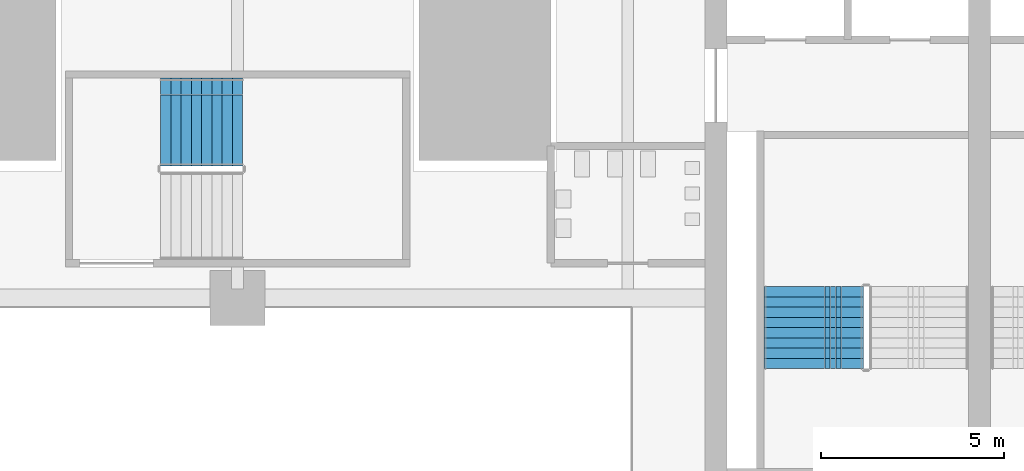
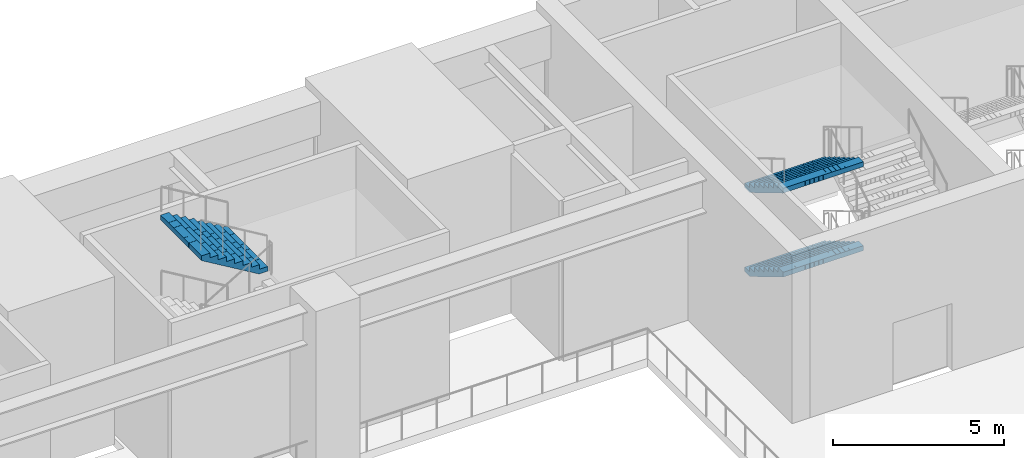
# One storey, part 34 of 43: 3 stair flights, 2 elements without a shape of their own.
"""IFC4 building model written with IfcOpenShell, lengths in metres."""

import ifcopenshell
import ifcopenshell.guid

model = None  # the IFC model being written
_history = None  # IfcOwnerHistory: only IFC2X3 demands one
_inside = {}  # id of a spatial element -> (the spatial element, [elements in it])
_under = {}  # id of a project, library or spatial element -> (it, [spatial elements below it])
_declared = {}  # id of a project -> (the project, [libraries it declares])
_typed = {}  # id of a type object -> (the type object, [elements of that type])
_made_of = {}  # id of a material, layer set ... -> (it, [elements and type objects made of it])


def new_model(schema):
    """Start an empty IFC model of exactly this schema.

    Asked for "IFC4X3", IfcOpenShell would pick the latest addendum, in which some entities
    have other attributes; the version numbers below select the first issue.
    IFC2X3 requires an IfcOwnerHistory on every rooted entity: one is made here for all.
    """
    global model, _history
    if schema == "IFC4X3":
        model = ifcopenshell.file(schema_version=(4, 3, 0, 0))
    else:
        model = ifcopenshell.file(schema=schema)
    _inside.clear()
    _under.clear()
    _declared.clear()
    _typed.clear()
    _made_of.clear()
    _history = None
    if model.schema == "IFC2X3":
        org = make("IfcOrganization", Name="unknown")
        user = make(
            "IfcPersonAndOrganization",
            ThePerson=make("IfcPerson", FamilyName="unknown"),
            TheOrganization=org,
        )
        app = make(
            "IfcApplication",
            ApplicationDeveloper=org,
            Version="unknown",
            ApplicationFullName="unknown",
            ApplicationIdentifier="unknown",
        )
        _history = make(
            "IfcOwnerHistory",
            OwningUser=user,
            OwningApplication=app,
            ChangeAction="ADDED",
            CreationDate=0,
        )
    return model


def make(cls, **values):
    """One entity of the class cls with the attributes given. An attribute that is None is left unset."""
    return model.create_entity(
        cls, **{name: value for name, value in values.items() if value is not None}
    )


def rooted(cls, **values):
    """An entity with a GlobalId (a new one), such as an element, a storey or a relation."""
    return make(cls, GlobalId=ifcopenshell.guid.new(), OwnerHistory=_history, **values)


def si_unit(unit_type, name, prefix=None):
    """IfcSIUnit, for example si_unit("LENGTHUNIT", "METRE", prefix="MILLI")."""
    return make("IfcSIUnit", UnitType=unit_type, Prefix=prefix, Name=name)


def assignment(units):
    """IfcUnitAssignment: the units of a project."""
    return None if units is None else make("IfcUnitAssignment", Units=units)


def point(xyz):
    """IfcCartesianPoint."""
    return None if xyz is None else make("IfcCartesianPoint", Coordinates=xyz)


def direction(xyz):
    """IfcDirection."""
    return None if xyz is None else make("IfcDirection", DirectionRatios=xyz)


def frame(location, z_axis=None, x_axis=None):
    """IfcAxis2Placement3D, a coordinate frame: its origin and axes. An axis left out is left unset."""
    return make(
        "IfcAxis2Placement3D",
        Location=point(location),
        Axis=direction(z_axis),
        RefDirection=direction(x_axis),
    )


def origin():
    """The frame at (0, 0, 0) with its axes left unset."""
    return frame((0.0, 0.0, 0.0))


def place(relative_to, where):
    """IfcLocalPlacement: puts the frame where relative to a parent placement (None: the world)."""
    return make(
        "IfcLocalPlacement", PlacementRelTo=relative_to, RelativePlacement=where
    )


def context(
    kind, dimensions, precision=None, world=None, true_north=None, identifier=None
):
    """IfcGeometricRepresentationContext, for example the 3D "Model" context."""
    return make(
        "IfcGeometricRepresentationContext",
        ContextIdentifier=identifier,
        ContextType=kind,
        CoordinateSpaceDimension=dimensions,
        Precision=precision,
        WorldCoordinateSystem=world,
        TrueNorth=true_north,
    )


def subcontext(parent, identifier, kind, view, scale=None):
    """IfcGeometricRepresentationSubContext, for example "Body" below "Model"."""
    return make(
        "IfcGeometricRepresentationSubContext",
        ContextIdentifier=identifier,
        ContextType=kind,
        ParentContext=parent,
        TargetScale=scale,
        TargetView=view,
    )


def project(units=None, contexts=None):
    """IfcProject with its units and contexts."""
    return rooted(
        "IfcProject",
        Name="project",
        RepresentationContexts=contexts,
        UnitsInContext=assignment(units),
    )


def spatial(cls, under=None, at=None, **own):
    """A site, building, storey or space (cls), placed at a placement, below another one or the project."""
    s = rooted(cls, ObjectPlacement=at, **own)
    if under is not None:
        _under.setdefault(under.id(), (under, []))[1].append(s)
    return s


def polyline(points):
    """IfcPolyline through the points."""
    return make("IfcPolyline", Points=[point(p) for p in points])


def outline(outer, holes=None, kind="AREA"):
    """IfcArbitraryClosedProfileDef: a profile drawn as a closed curve; with holes, ...WithVoids."""
    if holes is None:
        return make("IfcArbitraryClosedProfileDef", ProfileType=kind, OuterCurve=outer)
    return make(
        "IfcArbitraryProfileDefWithVoids",
        ProfileType=kind,
        OuterCurve=outer,
        InnerCurves=holes,
    )


def extrude(swept, where, along, depth):
    """IfcExtrudedAreaSolid: the profile swept, set in the frame where, extruded along a direction by depth."""
    return make(
        "IfcExtrudedAreaSolid",
        SweptArea=swept,
        Position=where,
        ExtrudedDirection=direction(along),
        Depth=depth,
    )


def shape(context_of_items, identifier, shape_type, items):
    """IfcShapeRepresentation: the items that make up one representation, for example the "Body"."""
    return make(
        "IfcShapeRepresentation",
        ContextOfItems=context_of_items,
        RepresentationIdentifier=identifier,
        RepresentationType=shape_type,
        Items=items,
    )


def material(Name=None, Category=None):
    """IfcMaterial."""
    return make("IfcMaterial", Name=Name, Category=Category)


def made_of(thing, what):
    """Note that an element or type object is made of a material, layer set ...; save() writes the relation."""
    if what is not None:
        _made_of.setdefault(what.id(), (what, []))[1].append(thing)
    return thing


def type_object(cls, material=None, **own):
    """A type object (cls), such as IfcWallType, which elements share."""
    return made_of(rooted(cls, **own), material)


def element(
    cls,
    number,
    at=None,
    inside=None,
    cuts=None,
    type_object=None,
    material=None,
    context=None,
    identifier="Body",
    shape_type=None,
    held_by="IfcProductDefinitionShape",
    body=None,
    shapes=None,
    **own,
):
    """One element of the class cls, such as IfcWall. Its Tag is "e" and its number.

    at: its placement. inside: the storey or other place that contains it. cuts: it is an
    opening in that element (IfcRelVoidsElement). A single representation is given by context,
    identifier, shape_type and body (its items); several are given by shapes. held_by: the class
    of the entity that holds the representations. save() writes the other relations.
    """
    e = rooted(cls, Tag="e%d" % number, ObjectPlacement=at, **own)
    if body is not None:
        shapes = [shape(context, identifier, shape_type, body)]
    if shapes is not None:
        e.Representation = make(held_by, Representations=shapes)
    if inside is not None:
        _inside.setdefault(inside.id(), (inside, []))[1].append(e)
    if cuts is not None:
        rooted(
            "IfcRelVoidsElement", RelatingBuildingElement=cuts, RelatedOpeningElement=e
        )
    if type_object is not None:
        _typed.setdefault(type_object.id(), (type_object, []))[1].append(e)
    return made_of(e, material)


def aggregate(whole, parts):
    """IfcRelAggregates: a whole, such as a stair, and the parts it consists of."""
    return rooted("IfcRelAggregates", RelatingObject=whole, RelatedObjects=parts)


def save(model, path):
    """Write the relations noted so far, then the file.

    IfcRelAggregates (storeys below a building ...), IfcRelContainedInSpatialStructure (elements
    in a storey), IfcRelDefinesByType, IfcRelAssociatesMaterial and IfcRelDeclares: one each for
    every whole, place, type object, material and project.
    """
    for whole, parts in _under.values():
        aggregate(whole, parts)
    for where, things in _inside.values():
        rooted(
            "IfcRelContainedInSpatialStructure",
            RelatedElements=things,
            RelatingStructure=where,
        )
    for kind, things in _typed.values():
        rooted("IfcRelDefinesByType", RelatedObjects=things, RelatingType=kind)
    for what, things in _made_of.values():
        rooted("IfcRelAssociatesMaterial", RelatedObjects=things, RelatingMaterial=what)
    for by, libraries in _declared.values():
        rooted("IfcRelDeclares", RelatingContext=by, RelatedDefinitions=libraries)
    model.write(path)


model = new_model("IFC4")

# Units and contexts
model_context = context("Model", 3, precision=1e-05, world=origin(), true_north=direction((0.0, 1.0)))
body_context = subcontext(model_context, "Body", "Model", "MODEL_VIEW")
ifc_project = project(units=[si_unit("LENGTHUNIT", "METRE"), si_unit("AREAUNIT", "SQUARE_METRE"), si_unit("VOLUMEUNIT", "CUBIC_METRE"), si_unit("PLANEANGLEUNIT", "RADIAN"), si_unit("MASSUNIT", "GRAM", prefix="KILO")], contexts=[model_context])

# Site, building, storey
site_placement = place(None, origin())
site = spatial("IfcSite", under=ifc_project, at=site_placement, CompositionType="ELEMENT")
building_placement = place(site_placement, origin())
building = spatial("IfcBuilding", under=site, at=building_placement, Name="Corbelhall Arena Tower", CompositionType="ELEMENT")
storey_placement = place(building_placement, frame((0.0, 0.0, 25.0)))
storey = spatial("IfcBuildingStorey", under=building, at=storey_placement, Name="L03", CompositionType="ELEMENT", Elevation=25.0)

# Stair, stair flight
ifc_material = material(Name="Reinforced concrete C40/50", Category="concrete")
stair_type = type_object("IfcStairType", Name="AR-EXIT-STAIR", PredefinedType="HALF_TURN_STAIR", material=ifc_material)
stair_1_placement = place(storey_placement, origin())
stair_1 = element("IfcStair", 1, at=stair_1_placement, inside=storey, type_object=stair_type, Name="L03 exit stair AS12", PredefinedType="HALF_TURN_STAIR")
stair_flight_type = type_object("IfcStairFlightType", Name="AR-EXIT-FLIGHT", PredefinedType="STRAIGHT", material=ifc_material)
stair_flight_1_placement = place(storey_placement, frame((20.389892578125, 34.050048828125, 4.5), z_axis=(0.0, 0.0, 1.0), x_axis=(-1.0, 0.0, 0.0)))
stair_flight_1 = element("IfcStairFlight", 2, at=stair_flight_1_placement, type_object=stair_flight_type, Name="AS12 flight 4", NumberOfRisers=9, NumberOfTreads=8, PredefinedType="STRAIGHT", RiserHeight=0.166666667, TreadLength=0.28, context=body_context, shape_type="SweptSolid", body=[
    extrude(outline(polyline([(0.0, 0.0), (0.0, 0.166748046875), (0.280029296875, 0.166748046875), (0.280029296875, 0.333251953125), (0.56005859375, 0.333251953125), (0.56005859375, 0.5), (0.840087890625, 0.5), (0.840087890625, 0.666748046875), (1.1201171875, 0.666748046875), (1.1201171875, 0.833251953125), (1.39990234375, 0.833251953125), (1.39990234375, 1.0), (1.679931640625, 1.0), (1.679931640625, 1.166748046875), (1.9599609375, 1.166748046875), (1.9599609375, 1.333251953125), (2.239990234375, 1.333251953125), (2.239990234375, 1.5), (2.239990234375, 1.158935546875), (0.29296875, 0.0), (0.0, 0.0)])), frame((0.0, 1.199951171875, 0.0), z_axis=(0.0, -1.0, 0.0), x_axis=(1.0, 0.0, 0.0)), (0.0, 0.0, 1.0), 0.449951171875),
    extrude(outline(polyline([(0.0, 0.0), (0.0, 0.166748046875), (0.280029296875, 0.166748046875), (0.280029296875, 0.333251953125), (0.56005859375, 0.333251953125), (0.56005859375, 0.5), (0.840087890625, 0.5), (0.840087890625, 0.666748046875), (1.1201171875, 0.666748046875), (1.1201171875, 0.833251953125), (1.39990234375, 0.833251953125), (1.39990234375, 1.0), (1.679931640625, 1.0), (1.679931640625, 1.166748046875), (1.9599609375, 1.166748046875), (1.9599609375, 1.333251953125), (2.239990234375, 1.333251953125), (2.239990234375, 1.5), (2.239990234375, 1.158935546875), (0.29296875, 0.0), (0.0, 0.0)])), frame((0.0, 0.745849609375, 0.0), z_axis=(0.0, -1.0, 0.0), x_axis=(1.0, 0.0, 0.0)), (0.0, 0.0, 1.0), 0.295166015625),
    extrude(outline(polyline([(0.0, 0.0), (0.0, 0.166748046875), (0.280029296875, 0.166748046875), (0.280029296875, 0.333251953125), (0.56005859375, 0.333251953125), (0.56005859375, 0.5), (0.840087890625, 0.5), (0.840087890625, 0.666748046875), (1.1201171875, 0.666748046875), (1.1201171875, 0.833251953125), (1.39990234375, 0.833251953125), (1.39990234375, 1.0), (1.679931640625, 1.0), (1.679931640625, 1.166748046875), (1.9599609375, 1.166748046875), (1.9599609375, 1.333251953125), (2.239990234375, 1.333251953125), (2.239990234375, 1.5), (2.239990234375, 1.158935546875), (0.29296875, 0.0), (0.0, 0.0)])), frame((0.0, 0.44677734375, 0.0), z_axis=(0.0, -1.0, 0.0), x_axis=(1.0, 0.0, 0.0)), (0.0, 0.0, 1.0), 0.295166015625),
    extrude(outline(polyline([(0.0, 0.0), (0.0, 0.166748046875), (0.280029296875, 0.166748046875), (0.280029296875, 0.333251953125), (0.56005859375, 0.333251953125), (0.56005859375, 0.5), (0.840087890625, 0.5), (0.840087890625, 0.666748046875), (1.1201171875, 0.666748046875), (1.1201171875, 0.833251953125), (1.39990234375, 0.833251953125), (1.39990234375, 1.0), (1.679931640625, 1.0), (1.679931640625, 1.166748046875), (1.9599609375, 1.166748046875), (1.9599609375, 1.333251953125), (2.239990234375, 1.333251953125), (2.239990234375, 1.5), (2.239990234375, 1.158935546875), (0.29296875, 0.0), (0.0, 0.0)])), frame((0.0, 0.147705078125, 0.0), z_axis=(0.0, -1.0, 0.0), x_axis=(1.0, 0.0, 0.0)), (0.0, 0.0, 1.0), 0.295166015625),
    extrude(outline(polyline([(0.0, 0.0), (0.0, 0.166748046875), (0.280029296875, 0.166748046875), (0.280029296875, 0.333251953125), (0.56005859375, 0.333251953125), (0.56005859375, 0.5), (0.840087890625, 0.5), (0.840087890625, 0.666748046875), (1.1201171875, 0.666748046875), (1.1201171875, 0.833251953125), (1.39990234375, 0.833251953125), (1.39990234375, 1.0), (1.679931640625, 1.0), (1.679931640625, 1.166748046875), (1.9599609375, 1.166748046875), (1.9599609375, 1.333251953125), (2.239990234375, 1.333251953125), (2.239990234375, 1.5), (2.239990234375, 1.158935546875), (0.29296875, 0.0), (0.0, 0.0)])), frame((0.0, -0.151611328125, 0.0), z_axis=(0.0, -1.0, 0.0), x_axis=(1.0, 0.0, 0.0)), (0.0, 0.0, 1.0), 0.295166015625),
    extrude(outline(polyline([(0.0, 0.0), (0.0, 0.166748046875), (0.280029296875, 0.166748046875), (0.280029296875, 0.333251953125), (0.56005859375, 0.333251953125), (0.56005859375, 0.5), (0.840087890625, 0.5), (0.840087890625, 0.666748046875), (1.1201171875, 0.666748046875), (1.1201171875, 0.833251953125), (1.39990234375, 0.833251953125), (1.39990234375, 1.0), (1.679931640625, 1.0), (1.679931640625, 1.166748046875), (1.9599609375, 1.166748046875), (1.9599609375, 1.333251953125), (2.239990234375, 1.333251953125), (2.239990234375, 1.5), (2.239990234375, 1.158935546875), (0.29296875, 0.0), (0.0, 0.0)])), frame((0.0, -0.45068359375, 0.0), z_axis=(0.0, -1.0, 0.0), x_axis=(1.0, 0.0, 0.0)), (0.0, 0.0, 1.0), 0.295166015625),
    extrude(outline(polyline([(0.0, 0.0), (0.0, 0.166748046875), (0.280029296875, 0.166748046875), (0.280029296875, 0.333251953125), (0.56005859375, 0.333251953125), (0.56005859375, 0.5), (0.840087890625, 0.5), (0.840087890625, 0.666748046875), (1.1201171875, 0.666748046875), (1.1201171875, 0.833251953125), (1.39990234375, 0.833251953125), (1.39990234375, 1.0), (1.679931640625, 1.0), (1.679931640625, 1.166748046875), (1.9599609375, 1.166748046875), (1.9599609375, 1.333251953125), (2.239990234375, 1.333251953125), (2.239990234375, 1.5), (2.239990234375, 1.158935546875), (0.29296875, 0.0), (0.0, 0.0)])), frame((0.0, -0.75, 0.0), z_axis=(0.0, -1.0, 0.0), x_axis=(1.0, 0.0, 0.0)), (0.0, 0.0, 1.0), 0.449951171875),
])
aggregate(stair_1, [stair_flight_1])

# Stair, stair flights
stair_2_placement = place(storey_placement, origin())
stair_2 = element("IfcStair", 3, at=stair_2_placement, inside=storey, type_object=stair_type, Name="L03 exit stair AS1", PredefinedType="HALF_TURN_STAIR")
stair_flight_2_placement = place(storey_placement, frame((35.969970703125, 29.56005859375, 1.5), z_axis=(0.0, 0.0, 1.0), x_axis=(0.0, -1.0, 0.0)))
stair_flight_2 = element("IfcStairFlight", 4, at=stair_flight_2_placement, type_object=stair_flight_type, Name="AS1 flight 2", NumberOfRisers=9, NumberOfTreads=8, PredefinedType="STRAIGHT", RiserHeight=0.166666667, TreadLength=0.28, context=body_context, shape_type="SweptSolid", body=[
    extrude(outline(polyline([(0.0, 0.0), (0.0, 0.166748046875), (0.280029296875, 0.166748046875), (0.280029296875, 0.333251953125), (0.56005859375, 0.333251953125), (0.56005859375, 0.5), (0.840087890625, 0.5), (0.840087890625, 0.666748046875), (1.1201171875, 0.666748046875), (1.1201171875, 0.833251953125), (1.39990234375, 0.833251953125), (1.39990234375, 1.0), (1.679931640625, 1.0), (1.679931640625, 1.166748046875), (1.9599609375, 1.166748046875), (1.9599609375, 1.333251953125), (2.239990234375, 1.333251953125), (2.239990234375, 1.5), (2.239990234375, 1.158935546875), (0.29296875, 0.0), (0.0, 0.0)])), frame((0.0, 1.35986328125, 0.0), z_axis=(0.0, -1.0, 0.0), x_axis=(1.0, 0.0, 0.0)), (0.0, 0.0, 1.0), 0.449951171875),
    extrude(outline(polyline([(0.0, 0.0), (0.0, 0.166748046875), (0.280029296875, 0.166748046875), (0.280029296875, 0.333251953125), (0.56005859375, 0.333251953125), (0.56005859375, 0.5), (0.840087890625, 0.5), (0.840087890625, 0.666748046875), (1.1201171875, 0.666748046875), (1.1201171875, 0.833251953125), (1.39990234375, 0.833251953125), (1.39990234375, 1.0), (1.679931640625, 1.0), (1.679931640625, 1.166748046875), (1.9599609375, 1.166748046875), (1.9599609375, 1.333251953125), (2.239990234375, 1.333251953125), (2.239990234375, 1.5), (2.239990234375, 1.158935546875), (0.29296875, 0.0), (0.0, 0.0)])), frame((0.0, 0.906005859375, 0.0), z_axis=(0.0, -1.0, 0.0), x_axis=(1.0, 0.0, 0.0)), (0.0, 0.0, 1.0), 0.147216796875),
    extrude(outline(polyline([(0.0, 0.0), (0.0, 0.166748046875), (0.280029296875, 0.166748046875), (0.280029296875, 0.333251953125), (0.56005859375, 0.333251953125), (0.56005859375, 0.5), (0.840087890625, 0.5), (0.840087890625, 0.666748046875), (1.1201171875, 0.666748046875), (1.1201171875, 0.833251953125), (1.39990234375, 0.833251953125), (1.39990234375, 1.0), (1.679931640625, 1.0), (1.679931640625, 1.166748046875), (1.9599609375, 1.166748046875), (1.9599609375, 1.333251953125), (2.239990234375, 1.333251953125), (2.239990234375, 1.5), (2.239990234375, 1.158935546875), (0.29296875, 0.0), (0.0, 0.0)])), frame((0.0, 0.754638671875, 0.0), z_axis=(0.0, -1.0, 0.0), x_axis=(1.0, 0.0, 0.0)), (0.0, 0.0, 1.0), 0.147216796875),
    extrude(outline(polyline([(0.0, 0.0), (0.0, 0.166748046875), (0.280029296875, 0.166748046875), (0.280029296875, 0.333251953125), (0.56005859375, 0.333251953125), (0.56005859375, 0.5), (0.840087890625, 0.5), (0.840087890625, 0.666748046875), (1.1201171875, 0.666748046875), (1.1201171875, 0.833251953125), (1.39990234375, 0.833251953125), (1.39990234375, 1.0), (1.679931640625, 1.0), (1.679931640625, 1.166748046875), (1.9599609375, 1.166748046875), (1.9599609375, 1.333251953125), (2.239990234375, 1.333251953125), (2.239990234375, 1.5), (2.239990234375, 1.158935546875), (0.29296875, 0.0), (0.0, 0.0)])), frame((0.0, 0.603271484375, 0.0), z_axis=(0.0, -1.0, 0.0), x_axis=(1.0, 0.0, 0.0)), (0.0, 0.0, 1.0), 0.147216796875),
    extrude(outline(polyline([(0.0, 0.0), (0.0, 0.166748046875), (0.280029296875, 0.166748046875), (0.280029296875, 0.333251953125), (0.56005859375, 0.333251953125), (0.56005859375, 0.5), (0.840087890625, 0.5), (0.840087890625, 0.666748046875), (1.1201171875, 0.666748046875), (1.1201171875, 0.833251953125), (1.39990234375, 0.833251953125), (1.39990234375, 1.0), (1.679931640625, 1.0), (1.679931640625, 1.166748046875), (1.9599609375, 1.166748046875), (1.9599609375, 1.333251953125), (2.239990234375, 1.333251953125), (2.239990234375, 1.5), (2.239990234375, 1.158935546875), (0.29296875, 0.0), (0.0, 0.0)])), frame((0.0, 0.451904296875, 0.0), z_axis=(0.0, -1.0, 0.0), x_axis=(1.0, 0.0, 0.0)), (0.0, 0.0, 1.0), 0.147216796875),
    extrude(outline(polyline([(0.0, 0.0), (0.0, 0.166748046875), (0.280029296875, 0.166748046875), (0.280029296875, 0.333251953125), (0.56005859375, 0.333251953125), (0.56005859375, 0.5), (0.840087890625, 0.5), (0.840087890625, 0.666748046875), (1.1201171875, 0.666748046875), (1.1201171875, 0.833251953125), (1.39990234375, 0.833251953125), (1.39990234375, 1.0), (1.679931640625, 1.0), (1.679931640625, 1.166748046875), (1.9599609375, 1.166748046875), (1.9599609375, 1.333251953125), (2.239990234375, 1.333251953125), (2.239990234375, 1.5), (2.239990234375, 1.158935546875), (0.29296875, 0.0), (0.0, 0.0)])), frame((0.0, 0.30078125, 0.0), z_axis=(0.0, -1.0, 0.0), x_axis=(1.0, 0.0, 0.0)), (0.0, 0.0, 1.0), 0.147216796875),
    extrude(outline(polyline([(0.0, 0.0), (0.0, 0.166748046875), (0.280029296875, 0.166748046875), (0.280029296875, 0.333251953125), (0.56005859375, 0.333251953125), (0.56005859375, 0.5), (0.840087890625, 0.5), (0.840087890625, 0.666748046875), (1.1201171875, 0.666748046875), (1.1201171875, 0.833251953125), (1.39990234375, 0.833251953125), (1.39990234375, 1.0), (1.679931640625, 1.0), (1.679931640625, 1.166748046875), (1.9599609375, 1.166748046875), (1.9599609375, 1.333251953125), (2.239990234375, 1.333251953125), (2.239990234375, 1.5), (2.239990234375, 1.158935546875), (0.29296875, 0.0), (0.0, 0.0)])), frame((0.0, 0.1494140625, 0.0), z_axis=(0.0, -1.0, 0.0), x_axis=(1.0, 0.0, 0.0)), (0.0, 0.0, 1.0), 0.147216796875),
    extrude(outline(polyline([(0.0, 0.0), (0.0, 0.166748046875), (0.280029296875, 0.166748046875), (0.280029296875, 0.333251953125), (0.56005859375, 0.333251953125), (0.56005859375, 0.5), (0.840087890625, 0.5), (0.840087890625, 0.666748046875), (1.1201171875, 0.666748046875), (1.1201171875, 0.833251953125), (1.39990234375, 0.833251953125), (1.39990234375, 1.0), (1.679931640625, 1.0), (1.679931640625, 1.166748046875), (1.9599609375, 1.166748046875), (1.9599609375, 1.333251953125), (2.239990234375, 1.333251953125), (2.239990234375, 1.5), (2.239990234375, 1.158935546875), (0.29296875, 0.0), (0.0, 0.0)])), frame((0.0, -0.001953125, 0.0), z_axis=(0.0, -1.0, 0.0), x_axis=(1.0, 0.0, 0.0)), (0.0, 0.0, 1.0), 0.147216796875),
    extrude(outline(polyline([(0.0, 0.0), (0.0, 0.166748046875), (0.280029296875, 0.166748046875), (0.280029296875, 0.333251953125), (0.56005859375, 0.333251953125), (0.56005859375, 0.5), (0.840087890625, 0.5), (0.840087890625, 0.666748046875), (1.1201171875, 0.666748046875), (1.1201171875, 0.833251953125), (1.39990234375, 0.833251953125), (1.39990234375, 1.0), (1.679931640625, 1.0), (1.679931640625, 1.166748046875), (1.9599609375, 1.166748046875), (1.9599609375, 1.333251953125), (2.239990234375, 1.333251953125), (2.239990234375, 1.5), (2.239990234375, 1.158935546875), (0.29296875, 0.0), (0.0, 0.0)])), frame((0.0, -0.1533203125, 0.0), z_axis=(0.0, -1.0, 0.0), x_axis=(1.0, 0.0, 0.0)), (0.0, 0.0, 1.0), 0.147216796875),
    extrude(outline(polyline([(0.0, 0.0), (0.0, 0.166748046875), (0.280029296875, 0.166748046875), (0.280029296875, 0.333251953125), (0.56005859375, 0.333251953125), (0.56005859375, 0.5), (0.840087890625, 0.5), (0.840087890625, 0.666748046875), (1.1201171875, 0.666748046875), (1.1201171875, 0.833251953125), (1.39990234375, 0.833251953125), (1.39990234375, 1.0), (1.679931640625, 1.0), (1.679931640625, 1.166748046875), (1.9599609375, 1.166748046875), (1.9599609375, 1.333251953125), (2.239990234375, 1.333251953125), (2.239990234375, 1.5), (2.239990234375, 1.158935546875), (0.29296875, 0.0), (0.0, 0.0)])), frame((0.0, -0.3046875, 0.0), z_axis=(0.0, -1.0, 0.0), x_axis=(1.0, 0.0, 0.0)), (0.0, 0.0, 1.0), 0.147216796875),
    extrude(outline(polyline([(0.0, 0.0), (0.0, 0.166748046875), (0.280029296875, 0.166748046875), (0.280029296875, 0.333251953125), (0.56005859375, 0.333251953125), (0.56005859375, 0.5), (0.840087890625, 0.5), (0.840087890625, 0.666748046875), (1.1201171875, 0.666748046875), (1.1201171875, 0.833251953125), (1.39990234375, 0.833251953125), (1.39990234375, 1.0), (1.679931640625, 1.0), (1.679931640625, 1.166748046875), (1.9599609375, 1.166748046875), (1.9599609375, 1.333251953125), (2.239990234375, 1.333251953125), (2.239990234375, 1.5), (2.239990234375, 1.158935546875), (0.29296875, 0.0), (0.0, 0.0)])), frame((0.0, -0.4560546875, 0.0), z_axis=(0.0, -1.0, 0.0), x_axis=(1.0, 0.0, 0.0)), (0.0, 0.0, 1.0), 0.147216796875),
    extrude(outline(polyline([(0.0, 0.0), (0.0, 0.166748046875), (0.280029296875, 0.166748046875), (0.280029296875, 0.333251953125), (0.56005859375, 0.333251953125), (0.56005859375, 0.5), (0.840087890625, 0.5), (0.840087890625, 0.666748046875), (1.1201171875, 0.666748046875), (1.1201171875, 0.833251953125), (1.39990234375, 0.833251953125), (1.39990234375, 1.0), (1.679931640625, 1.0), (1.679931640625, 1.166748046875), (1.9599609375, 1.166748046875), (1.9599609375, 1.333251953125), (2.239990234375, 1.333251953125), (2.239990234375, 1.5), (2.239990234375, 1.158935546875), (0.29296875, 0.0), (0.0, 0.0)])), frame((0.0, -0.607421875, 0.0), z_axis=(0.0, -1.0, 0.0), x_axis=(1.0, 0.0, 0.0)), (0.0, 0.0, 1.0), 0.147216796875),
    extrude(outline(polyline([(0.0, 0.0), (0.0, 0.166748046875), (0.280029296875, 0.166748046875), (0.280029296875, 0.333251953125), (0.56005859375, 0.333251953125), (0.56005859375, 0.5), (0.840087890625, 0.5), (0.840087890625, 0.666748046875), (1.1201171875, 0.666748046875), (1.1201171875, 0.833251953125), (1.39990234375, 0.833251953125), (1.39990234375, 1.0), (1.679931640625, 1.0), (1.679931640625, 1.166748046875), (1.9599609375, 1.166748046875), (1.9599609375, 1.333251953125), (2.239990234375, 1.333251953125), (2.239990234375, 1.5), (2.239990234375, 1.158935546875), (0.29296875, 0.0), (0.0, 0.0)])), frame((0.0, -0.758544921875, 0.0), z_axis=(0.0, -1.0, 0.0), x_axis=(1.0, 0.0, 0.0)), (0.0, 0.0, 1.0), 0.147216796875),
    extrude(outline(polyline([(0.0, 0.0), (0.0, 0.166748046875), (0.280029296875, 0.166748046875), (0.280029296875, 0.333251953125), (0.56005859375, 0.333251953125), (0.56005859375, 0.5), (0.840087890625, 0.5), (0.840087890625, 0.666748046875), (1.1201171875, 0.666748046875), (1.1201171875, 0.833251953125), (1.39990234375, 0.833251953125), (1.39990234375, 1.0), (1.679931640625, 1.0), (1.679931640625, 1.166748046875), (1.9599609375, 1.166748046875), (1.9599609375, 1.333251953125), (2.239990234375, 1.333251953125), (2.239990234375, 1.5), (2.239990234375, 1.158935546875), (0.29296875, 0.0), (0.0, 0.0)])), frame((0.0, -0.909912109375, 0.0), z_axis=(0.0, -1.0, 0.0), x_axis=(1.0, 0.0, 0.0)), (0.0, 0.0, 1.0), 0.449951171875),
])
stair_flight_3_placement = place(storey_placement, frame((35.969970703125, 29.56005859375, 4.5), z_axis=(0.0, 0.0, 1.0), x_axis=(0.0, -1.0, 0.0)))
stair_flight_3 = element("IfcStairFlight", 5, at=stair_flight_3_placement, type_object=stair_flight_type, Name="AS1 flight 4", NumberOfRisers=9, NumberOfTreads=8, PredefinedType="STRAIGHT", RiserHeight=0.166666667, TreadLength=0.28, context=body_context, shape_type="SweptSolid", body=[
    extrude(outline(polyline([(0.0, 0.0), (0.0, 0.166748046875), (0.280029296875, 0.166748046875), (0.280029296875, 0.333251953125), (0.56005859375, 0.333251953125), (0.56005859375, 0.5), (0.840087890625, 0.5), (0.840087890625, 0.666748046875), (1.1201171875, 0.666748046875), (1.1201171875, 0.833251953125), (1.39990234375, 0.833251953125), (1.39990234375, 1.0), (1.679931640625, 1.0), (1.679931640625, 1.166748046875), (1.9599609375, 1.166748046875), (1.9599609375, 1.333251953125), (2.239990234375, 1.333251953125), (2.239990234375, 1.5), (2.239990234375, 1.158935546875), (0.29296875, 0.0), (0.0, 0.0)])), frame((0.0, 1.35986328125, 0.0), z_axis=(0.0, -1.0, 0.0), x_axis=(1.0, 0.0, 0.0)), (0.0, 0.0, 1.0), 0.449951171875),
    extrude(outline(polyline([(0.0, 0.0), (0.0, 0.166748046875), (0.280029296875, 0.166748046875), (0.280029296875, 0.333251953125), (0.56005859375, 0.333251953125), (0.56005859375, 0.5), (0.840087890625, 0.5), (0.840087890625, 0.666748046875), (1.1201171875, 0.666748046875), (1.1201171875, 0.833251953125), (1.39990234375, 0.833251953125), (1.39990234375, 1.0), (1.679931640625, 1.0), (1.679931640625, 1.166748046875), (1.9599609375, 1.166748046875), (1.9599609375, 1.333251953125), (2.239990234375, 1.333251953125), (2.239990234375, 1.5), (2.239990234375, 1.158935546875), (0.29296875, 0.0), (0.0, 0.0)])), frame((0.0, 0.906005859375, 0.0), z_axis=(0.0, -1.0, 0.0), x_axis=(1.0, 0.0, 0.0)), (0.0, 0.0, 1.0), 0.147216796875),
    extrude(outline(polyline([(0.0, 0.0), (0.0, 0.166748046875), (0.280029296875, 0.166748046875), (0.280029296875, 0.333251953125), (0.56005859375, 0.333251953125), (0.56005859375, 0.5), (0.840087890625, 0.5), (0.840087890625, 0.666748046875), (1.1201171875, 0.666748046875), (1.1201171875, 0.833251953125), (1.39990234375, 0.833251953125), (1.39990234375, 1.0), (1.679931640625, 1.0), (1.679931640625, 1.166748046875), (1.9599609375, 1.166748046875), (1.9599609375, 1.333251953125), (2.239990234375, 1.333251953125), (2.239990234375, 1.5), (2.239990234375, 1.158935546875), (0.29296875, 0.0), (0.0, 0.0)])), frame((0.0, 0.754638671875, 0.0), z_axis=(0.0, -1.0, 0.0), x_axis=(1.0, 0.0, 0.0)), (0.0, 0.0, 1.0), 0.147216796875),
    extrude(outline(polyline([(0.0, 0.0), (0.0, 0.166748046875), (0.280029296875, 0.166748046875), (0.280029296875, 0.333251953125), (0.56005859375, 0.333251953125), (0.56005859375, 0.5), (0.840087890625, 0.5), (0.840087890625, 0.666748046875), (1.1201171875, 0.666748046875), (1.1201171875, 0.833251953125), (1.39990234375, 0.833251953125), (1.39990234375, 1.0), (1.679931640625, 1.0), (1.679931640625, 1.166748046875), (1.9599609375, 1.166748046875), (1.9599609375, 1.333251953125), (2.239990234375, 1.333251953125), (2.239990234375, 1.5), (2.239990234375, 1.158935546875), (0.29296875, 0.0), (0.0, 0.0)])), frame((0.0, 0.603271484375, 0.0), z_axis=(0.0, -1.0, 0.0), x_axis=(1.0, 0.0, 0.0)), (0.0, 0.0, 1.0), 0.147216796875),
    extrude(outline(polyline([(0.0, 0.0), (0.0, 0.166748046875), (0.280029296875, 0.166748046875), (0.280029296875, 0.333251953125), (0.56005859375, 0.333251953125), (0.56005859375, 0.5), (0.840087890625, 0.5), (0.840087890625, 0.666748046875), (1.1201171875, 0.666748046875), (1.1201171875, 0.833251953125), (1.39990234375, 0.833251953125), (1.39990234375, 1.0), (1.679931640625, 1.0), (1.679931640625, 1.166748046875), (1.9599609375, 1.166748046875), (1.9599609375, 1.333251953125), (2.239990234375, 1.333251953125), (2.239990234375, 1.5), (2.239990234375, 1.158935546875), (0.29296875, 0.0), (0.0, 0.0)])), frame((0.0, 0.451904296875, 0.0), z_axis=(0.0, -1.0, 0.0), x_axis=(1.0, 0.0, 0.0)), (0.0, 0.0, 1.0), 0.147216796875),
    extrude(outline(polyline([(0.0, 0.0), (0.0, 0.166748046875), (0.280029296875, 0.166748046875), (0.280029296875, 0.333251953125), (0.56005859375, 0.333251953125), (0.56005859375, 0.5), (0.840087890625, 0.5), (0.840087890625, 0.666748046875), (1.1201171875, 0.666748046875), (1.1201171875, 0.833251953125), (1.39990234375, 0.833251953125), (1.39990234375, 1.0), (1.679931640625, 1.0), (1.679931640625, 1.166748046875), (1.9599609375, 1.166748046875), (1.9599609375, 1.333251953125), (2.239990234375, 1.333251953125), (2.239990234375, 1.5), (2.239990234375, 1.158935546875), (0.29296875, 0.0), (0.0, 0.0)])), frame((0.0, 0.30078125, 0.0), z_axis=(0.0, -1.0, 0.0), x_axis=(1.0, 0.0, 0.0)), (0.0, 0.0, 1.0), 0.147216796875),
    extrude(outline(polyline([(0.0, 0.0), (0.0, 0.166748046875), (0.280029296875, 0.166748046875), (0.280029296875, 0.333251953125), (0.56005859375, 0.333251953125), (0.56005859375, 0.5), (0.840087890625, 0.5), (0.840087890625, 0.666748046875), (1.1201171875, 0.666748046875), (1.1201171875, 0.833251953125), (1.39990234375, 0.833251953125), (1.39990234375, 1.0), (1.679931640625, 1.0), (1.679931640625, 1.166748046875), (1.9599609375, 1.166748046875), (1.9599609375, 1.333251953125), (2.239990234375, 1.333251953125), (2.239990234375, 1.5), (2.239990234375, 1.158935546875), (0.29296875, 0.0), (0.0, 0.0)])), frame((0.0, 0.1494140625, 0.0), z_axis=(0.0, -1.0, 0.0), x_axis=(1.0, 0.0, 0.0)), (0.0, 0.0, 1.0), 0.147216796875),
    extrude(outline(polyline([(0.0, 0.0), (0.0, 0.166748046875), (0.280029296875, 0.166748046875), (0.280029296875, 0.333251953125), (0.56005859375, 0.333251953125), (0.56005859375, 0.5), (0.840087890625, 0.5), (0.840087890625, 0.666748046875), (1.1201171875, 0.666748046875), (1.1201171875, 0.833251953125), (1.39990234375, 0.833251953125), (1.39990234375, 1.0), (1.679931640625, 1.0), (1.679931640625, 1.166748046875), (1.9599609375, 1.166748046875), (1.9599609375, 1.333251953125), (2.239990234375, 1.333251953125), (2.239990234375, 1.5), (2.239990234375, 1.158935546875), (0.29296875, 0.0), (0.0, 0.0)])), frame((0.0, -0.001953125, 0.0), z_axis=(0.0, -1.0, 0.0), x_axis=(1.0, 0.0, 0.0)), (0.0, 0.0, 1.0), 0.147216796875),
    extrude(outline(polyline([(0.0, 0.0), (0.0, 0.166748046875), (0.280029296875, 0.166748046875), (0.280029296875, 0.333251953125), (0.56005859375, 0.333251953125), (0.56005859375, 0.5), (0.840087890625, 0.5), (0.840087890625, 0.666748046875), (1.1201171875, 0.666748046875), (1.1201171875, 0.833251953125), (1.39990234375, 0.833251953125), (1.39990234375, 1.0), (1.679931640625, 1.0), (1.679931640625, 1.166748046875), (1.9599609375, 1.166748046875), (1.9599609375, 1.333251953125), (2.239990234375, 1.333251953125), (2.239990234375, 1.5), (2.239990234375, 1.158935546875), (0.29296875, 0.0), (0.0, 0.0)])), frame((0.0, -0.1533203125, 0.0), z_axis=(0.0, -1.0, 0.0), x_axis=(1.0, 0.0, 0.0)), (0.0, 0.0, 1.0), 0.147216796875),
    extrude(outline(polyline([(0.0, 0.0), (0.0, 0.166748046875), (0.280029296875, 0.166748046875), (0.280029296875, 0.333251953125), (0.56005859375, 0.333251953125), (0.56005859375, 0.5), (0.840087890625, 0.5), (0.840087890625, 0.666748046875), (1.1201171875, 0.666748046875), (1.1201171875, 0.833251953125), (1.39990234375, 0.833251953125), (1.39990234375, 1.0), (1.679931640625, 1.0), (1.679931640625, 1.166748046875), (1.9599609375, 1.166748046875), (1.9599609375, 1.333251953125), (2.239990234375, 1.333251953125), (2.239990234375, 1.5), (2.239990234375, 1.158935546875), (0.29296875, 0.0), (0.0, 0.0)])), frame((0.0, -0.3046875, 0.0), z_axis=(0.0, -1.0, 0.0), x_axis=(1.0, 0.0, 0.0)), (0.0, 0.0, 1.0), 0.147216796875),
    extrude(outline(polyline([(0.0, 0.0), (0.0, 0.166748046875), (0.280029296875, 0.166748046875), (0.280029296875, 0.333251953125), (0.56005859375, 0.333251953125), (0.56005859375, 0.5), (0.840087890625, 0.5), (0.840087890625, 0.666748046875), (1.1201171875, 0.666748046875), (1.1201171875, 0.833251953125), (1.39990234375, 0.833251953125), (1.39990234375, 1.0), (1.679931640625, 1.0), (1.679931640625, 1.166748046875), (1.9599609375, 1.166748046875), (1.9599609375, 1.333251953125), (2.239990234375, 1.333251953125), (2.239990234375, 1.5), (2.239990234375, 1.158935546875), (0.29296875, 0.0), (0.0, 0.0)])), frame((0.0, -0.4560546875, 0.0), z_axis=(0.0, -1.0, 0.0), x_axis=(1.0, 0.0, 0.0)), (0.0, 0.0, 1.0), 0.147216796875),
    extrude(outline(polyline([(0.0, 0.0), (0.0, 0.166748046875), (0.280029296875, 0.166748046875), (0.280029296875, 0.333251953125), (0.56005859375, 0.333251953125), (0.56005859375, 0.5), (0.840087890625, 0.5), (0.840087890625, 0.666748046875), (1.1201171875, 0.666748046875), (1.1201171875, 0.833251953125), (1.39990234375, 0.833251953125), (1.39990234375, 1.0), (1.679931640625, 1.0), (1.679931640625, 1.166748046875), (1.9599609375, 1.166748046875), (1.9599609375, 1.333251953125), (2.239990234375, 1.333251953125), (2.239990234375, 1.5), (2.239990234375, 1.158935546875), (0.29296875, 0.0), (0.0, 0.0)])), frame((0.0, -0.607421875, 0.0), z_axis=(0.0, -1.0, 0.0), x_axis=(1.0, 0.0, 0.0)), (0.0, 0.0, 1.0), 0.147216796875),
    extrude(outline(polyline([(0.0, 0.0), (0.0, 0.166748046875), (0.280029296875, 0.166748046875), (0.280029296875, 0.333251953125), (0.56005859375, 0.333251953125), (0.56005859375, 0.5), (0.840087890625, 0.5), (0.840087890625, 0.666748046875), (1.1201171875, 0.666748046875), (1.1201171875, 0.833251953125), (1.39990234375, 0.833251953125), (1.39990234375, 1.0), (1.679931640625, 1.0), (1.679931640625, 1.166748046875), (1.9599609375, 1.166748046875), (1.9599609375, 1.333251953125), (2.239990234375, 1.333251953125), (2.239990234375, 1.5), (2.239990234375, 1.158935546875), (0.29296875, 0.0), (0.0, 0.0)])), frame((0.0, -0.758544921875, 0.0), z_axis=(0.0, -1.0, 0.0), x_axis=(1.0, 0.0, 0.0)), (0.0, 0.0, 1.0), 0.147216796875),
    extrude(outline(polyline([(0.0, 0.0), (0.0, 0.166748046875), (0.280029296875, 0.166748046875), (0.280029296875, 0.333251953125), (0.56005859375, 0.333251953125), (0.56005859375, 0.5), (0.840087890625, 0.5), (0.840087890625, 0.666748046875), (1.1201171875, 0.666748046875), (1.1201171875, 0.833251953125), (1.39990234375, 0.833251953125), (1.39990234375, 1.0), (1.679931640625, 1.0), (1.679931640625, 1.166748046875), (1.9599609375, 1.166748046875), (1.9599609375, 1.333251953125), (2.239990234375, 1.333251953125), (2.239990234375, 1.5), (2.239990234375, 1.158935546875), (0.29296875, 0.0), (0.0, 0.0)])), frame((0.0, -0.909912109375, 0.0), z_axis=(0.0, -1.0, 0.0), x_axis=(1.0, 0.0, 0.0)), (0.0, 0.0, 1.0), 0.449951171875),
])
aggregate(stair_2, [stair_flight_2, stair_flight_3])

save(model, "model.ifc")
